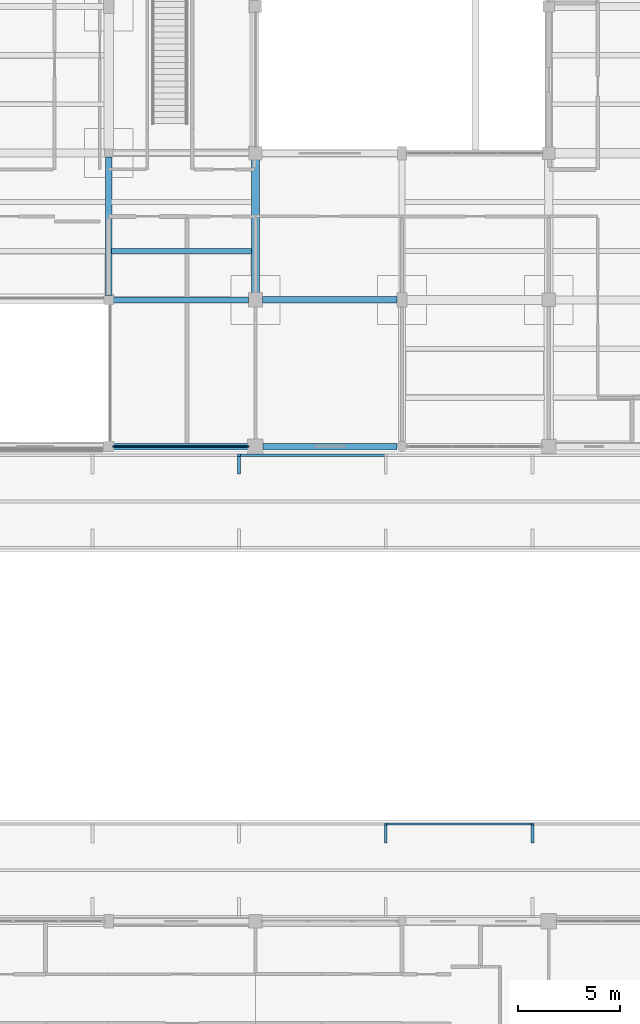
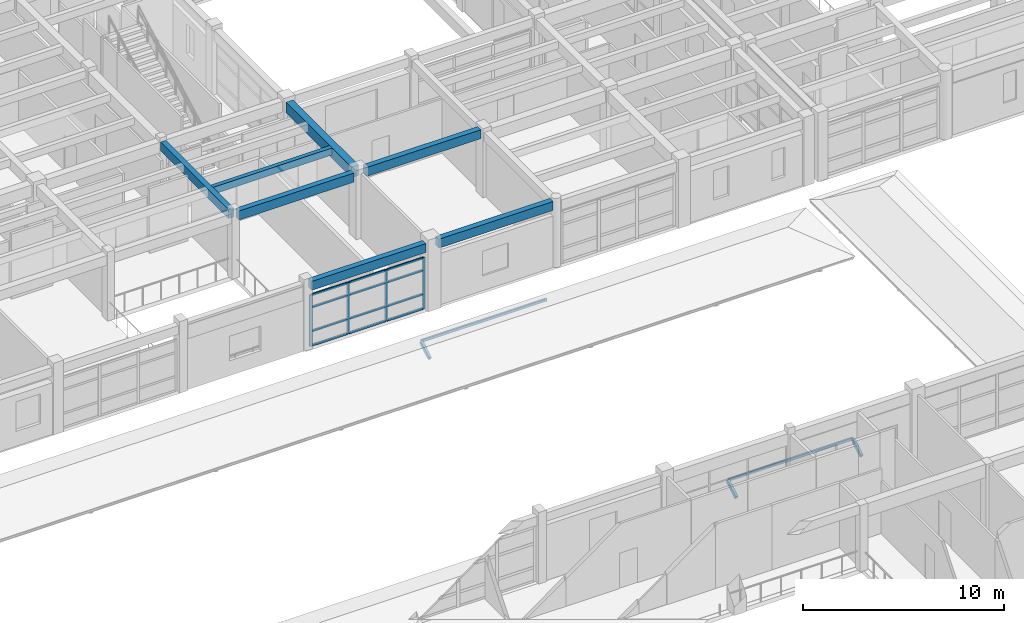
# One storey, part 25 of 110: 21 members, 7 beams, 1 element without a shape of its own.
"""IFC4 building model written with IfcOpenShell, lengths in metres."""

from ifc_helpers import new_model, si_unit, direction, frame, origin, origin_2d, place, context, subcontext, project, spatial, rectangle, hollow_rectangle, extrude, material, material_profile, profile_set, type_object, element, aggregate, save


model = new_model("IFC4")

# Units and contexts
model_context = context("Model", 3, precision=1e-05, world=origin(), true_north=direction((0.0, 1.0)))
body_context = subcontext(model_context, "Body", "Model", "MODEL_VIEW")
ifc_project = project(units=[si_unit("LENGTHUNIT", "METRE"), si_unit("AREAUNIT", "SQUARE_METRE"), si_unit("VOLUMEUNIT", "CUBIC_METRE"), si_unit("PLANEANGLEUNIT", "RADIAN"), si_unit("MASSUNIT", "GRAM", prefix="KILO")], contexts=[model_context])

# Site, building, storey
site_placement = place(None, origin())
site = spatial("IfcSite", under=ifc_project, at=site_placement, CompositionType="ELEMENT")
building_placement = place(site_placement, origin())
building = spatial("IfcBuilding", under=site, at=building_placement, Name="Steenspoor Specialist Clinic", CompositionType="ELEMENT")
storey_placement = place(building_placement, frame((0.0, 0.0, 4.800048828125)))
storey = spatial("IfcBuildingStorey", under=building, at=storey_placement, Name="L01", CompositionType="ELEMENT", Elevation=4.800048828125)

# Beams
ifc_material_1 = material(Name="Concrete C35/45", Category="concrete")
ifc_material_profile_1 = material_profile(ifc_material_1, rectangle(XDim=0.300048828125, YDim=0.550048828125, at=origin_2d()), Name="RC-BM-300X550")
ifc_profile_set_1 = profile_set([ifc_material_profile_1], Name="Concrete C35/45")
beam_type_1 = type_object("IfcBeamType", Name="BM-RC-300X550", PredefinedType="BEAM", material=ifc_profile_set_1)
beam_1_placement = place(storey_placement, frame((88.6201171875, 72.35009765625, 3.675048828125), z_axis=(1.0, 0.0, 0.0), x_axis=(0.0, 1.0, 0.0)))
element("IfcBeam", 1, at=beam_1_placement, inside=storey, type_object=beam_type_1, Name="BM-V4-L01-X0483", PredefinedType="BEAM", context=body_context, shape_type="SweptSolid", body=[
    extrude(rectangle(XDim=0.300048828125, YDim=0.550048828125, at=origin_2d()), origin(), (0.0, 0.0, 1.0), 6.634765625),
])
beam_2_placement = place(storey_placement, frame((88.39990234375, 72.570068359375, 3.675048828125), z_axis=(0.0, 1.0, 0.0), x_axis=(-1.0, 0.0, 0.0)))
element("IfcBeam", 2, at=beam_2_placement, inside=storey, type_object=beam_type_1, Name="BM-V4-L01-Y0547", PredefinedType="BEAM", context=body_context, shape_type="SweptSolid", body=[
    extrude(rectangle(XDim=0.300048828125, YDim=0.550048828125, at=origin_2d()), origin(), (0.0, 0.0, 1.0), 6.784912109375),
])
ifc_material_profile_2 = material_profile(ifc_material_1, rectangle(XDim=0.39990234375, YDim=0.64990234375, at=origin_2d()), Name="RC-BM-400X650")
ifc_profile_set_2 = profile_set([ifc_material_profile_2], Name="Concrete C35/45")
beam_type_2 = type_object("IfcBeamType", Name="BM-RC-400X650", PredefinedType="BEAM", material=ifc_profile_set_2)
beam_3_placement = place(storey_placement, frame((95.60009765625, 72.695068359375, 3.625), z_axis=(0.0, 1.0, 0.0), x_axis=(-1.0, 0.0, 0.0)))
element("IfcBeam", 3, at=beam_3_placement, inside=storey, type_object=beam_type_2, Name="BM-V4-L01-Y0552", PredefinedType="BEAM", context=body_context, shape_type="SweptSolid", body=[
    extrude(rectangle(XDim=0.39990234375, YDim=0.64990234375, at=origin_2d()), origin(), (0.0, 0.0, 1.0), 6.534912109375),
])

# Curtain wall, members
ifc_material_2 = material(Name="Thermally broken aluminium and low-emissivity glass", Category="aluminium")
curtain_wall_type = type_object("IfcCurtainWallType", Name="CW-TYP-360X355", PredefinedType="USERDEFINED", material=ifc_material_2)
curtain_wall_placement = place(storey_placement, origin())
curtain_wall = element("IfcCurtainWall", 4, at=curtain_wall_placement, inside=storey, type_object=curtain_wall_type, Name="Unitised Curtain Wall CW-V4-L01-062", ObjectType="UNITISED GLAZING", PredefinedType="USERDEFINED")
ifc_material_3 = material(Name="Thermally broken aluminium 6063-T6", Category="aluminium")
ifc_material_profile_3 = material_profile(ifc_material_3, rectangle(XDim=0.070068359375, YDim=0.1650390625, at=origin_2d()), Name="CWM-70X165")
ifc_profile_set_3 = profile_set([ifc_material_profile_3], Name="Thermally broken aluminium 6063-T6")
member_type_1 = type_object("IfcMemberType", Name="CW-MULL-70X165", PredefinedType="MULLION", material=ifc_profile_set_3)
member_1_placement = place(storey_placement, frame((95.18994140625, 65.14990234375, 0.0), z_axis=(0.0, 0.0, 1.0), x_axis=(0.0, -1.0, 0.0)))
member_1 = element("IfcMember", 5, at=member_1_placement, type_object=member_type_1, Name="CW-14 mullion 1", PredefinedType="MULLION", context=body_context, shape_type="SweptSolid", body=[
    extrude(rectangle(XDim=0.070068359375, YDim=0.1650390625, at=origin_2d()), origin(), (0.0, 0.0, 1.0), 3.1298828125),
])
member_2_placement = place(storey_placement, frame((93.033447265625, 65.14990234375, 0.0), z_axis=(0.0, 0.0, 1.0), x_axis=(0.0, -1.0, 0.0)))
member_2 = element("IfcMember", 6, at=member_2_placement, type_object=member_type_1, Name="CW-14 mullion 2", PredefinedType="MULLION", context=body_context, shape_type="SweptSolid", body=[
    extrude(rectangle(XDim=0.070068359375, YDim=0.1650390625, at=origin_2d()), origin(), (0.0, 0.0, 1.0), 3.1298828125),
])
member_3_placement = place(storey_placement, frame((90.841552734375, 65.14990234375, 0.0), z_axis=(0.0, 0.0, 1.0), x_axis=(0.0, -1.0, 0.0)))
member_3 = element("IfcMember", 7, at=member_3_placement, type_object=member_type_1, Name="CW-14 mullion 3", PredefinedType="MULLION", context=body_context, shape_type="SweptSolid", body=[
    extrude(rectangle(XDim=0.070068359375, YDim=0.1650390625, at=origin_2d()), origin(), (0.0, 0.0, 1.0), 3.1298828125),
])
member_4_placement = place(storey_placement, frame((88.68505859375, 65.14990234375, 0.0), z_axis=(0.0, 0.0, 1.0), x_axis=(0.0, -1.0, 0.0)))
member_4 = element("IfcMember", 8, at=member_4_placement, type_object=member_type_1, Name="CW-14 mullion 4", PredefinedType="MULLION", context=body_context, shape_type="SweptSolid", body=[
    extrude(rectangle(XDim=0.070068359375, YDim=0.1650390625, at=origin_2d()), origin(), (0.0, 0.0, 1.0), 3.1298828125),
])
ifc_material_profile_4 = material_profile(ifc_material_3, rectangle(XDim=0.06494140625, YDim=0.1298828125, at=origin_2d()), Name="CWT-65X130")
ifc_profile_set_4 = profile_set([ifc_material_profile_4], Name="Thermally broken aluminium 6063-T6")
member_type_2 = type_object("IfcMemberType", Name="CW-TRAN-65X130", PredefinedType="USERDEFINED", material=ifc_profile_set_4)
member_5_placement = place(storey_placement, frame((95.155029296875, 65.14990234375, 0.032470703125), z_axis=(-1.0, 0.0, 0.0), x_axis=(0.0, -1.0, 0.0)))
member_5 = element("IfcMember", 9, at=member_5_placement, type_object=member_type_2, Name="CW-14 transom 1.1", ObjectType="TRANSOM", PredefinedType="USERDEFINED", context=body_context, shape_type="SweptSolid", body=[
    extrude(rectangle(XDim=0.06494140625, YDim=0.1298828125, at=origin_2d()), origin(), (0.0, 0.0, 1.0), 2.086669921875),
])
member_6_placement = place(storey_placement, frame((95.155029296875, 65.14990234375, 0.89990234375), z_axis=(-1.0, 0.0, 0.0), x_axis=(0.0, -1.0, 0.0)))
member_6 = element("IfcMember", 10, at=member_6_placement, type_object=member_type_2, Name="CW-14 transom 1.2", ObjectType="TRANSOM", PredefinedType="USERDEFINED", context=body_context, shape_type="SweptSolid", body=[
    extrude(rectangle(XDim=0.06494140625, YDim=0.1298828125, at=origin_2d()), origin(), (0.0, 0.0, 1.0), 2.086669921875),
])
member_7_placement = place(storey_placement, frame((95.155029296875, 65.14990234375, 2.349853515625), z_axis=(-1.0, 0.0, 0.0), x_axis=(0.0, -1.0, 0.0)))
member_7 = element("IfcMember", 11, at=member_7_placement, type_object=member_type_2, Name="CW-14 transom 1.3", ObjectType="TRANSOM", PredefinedType="USERDEFINED", context=body_context, shape_type="SweptSolid", body=[
    extrude(rectangle(XDim=0.06494140625, YDim=0.1298828125, at=origin_2d()), origin(), (0.0, 0.0, 1.0), 2.086669921875),
])
member_8_placement = place(storey_placement, frame((95.155029296875, 65.14990234375, 3.097412109375), z_axis=(-1.0, 0.0, 0.0), x_axis=(0.0, -1.0, 0.0)))
member_8 = element("IfcMember", 12, at=member_8_placement, type_object=member_type_2, Name="CW-14 transom 1.4", ObjectType="TRANSOM", PredefinedType="USERDEFINED", context=body_context, shape_type="SweptSolid", body=[
    extrude(rectangle(XDim=0.06494140625, YDim=0.1298828125, at=origin_2d()), origin(), (0.0, 0.0, 1.0), 2.086669921875),
])
member_9_placement = place(storey_placement, frame((92.998291015625, 65.14990234375, 0.032470703125), z_axis=(-1.0, 0.0, 0.0), x_axis=(0.0, -1.0, 0.0)))
member_9 = element("IfcMember", 13, at=member_9_placement, type_object=member_type_2, Name="CW-14 transom 2.1", ObjectType="TRANSOM", PredefinedType="USERDEFINED", context=body_context, shape_type="SweptSolid", body=[
    extrude(rectangle(XDim=0.06494140625, YDim=0.1298828125, at=origin_2d()), origin(), (0.0, 0.0, 1.0), 2.12158203125),
])
member_10_placement = place(storey_placement, frame((92.998291015625, 65.14990234375, 0.89990234375), z_axis=(-1.0, 0.0, 0.0), x_axis=(0.0, -1.0, 0.0)))
member_10 = element("IfcMember", 14, at=member_10_placement, type_object=member_type_2, Name="CW-14 transom 2.2", ObjectType="TRANSOM", PredefinedType="USERDEFINED", context=body_context, shape_type="SweptSolid", body=[
    extrude(rectangle(XDim=0.06494140625, YDim=0.1298828125, at=origin_2d()), origin(), (0.0, 0.0, 1.0), 2.12158203125),
])
member_11_placement = place(storey_placement, frame((92.998291015625, 65.14990234375, 2.349853515625), z_axis=(-1.0, 0.0, 0.0), x_axis=(0.0, -1.0, 0.0)))
member_11 = element("IfcMember", 15, at=member_11_placement, type_object=member_type_2, Name="CW-14 transom 2.3", ObjectType="TRANSOM", PredefinedType="USERDEFINED", context=body_context, shape_type="SweptSolid", body=[
    extrude(rectangle(XDim=0.06494140625, YDim=0.1298828125, at=origin_2d()), origin(), (0.0, 0.0, 1.0), 2.12158203125),
])
member_12_placement = place(storey_placement, frame((92.998291015625, 65.14990234375, 3.097412109375), z_axis=(-1.0, 0.0, 0.0), x_axis=(0.0, -1.0, 0.0)))
member_12 = element("IfcMember", 16, at=member_12_placement, type_object=member_type_2, Name="CW-14 transom 2.4", ObjectType="TRANSOM", PredefinedType="USERDEFINED", context=body_context, shape_type="SweptSolid", body=[
    extrude(rectangle(XDim=0.06494140625, YDim=0.1298828125, at=origin_2d()), origin(), (0.0, 0.0, 1.0), 2.12158203125),
])
member_13_placement = place(storey_placement, frame((90.806640625, 65.14990234375, 0.032470703125), z_axis=(-1.0, 0.0, 0.0), x_axis=(0.0, -1.0, 0.0)))
member_13 = element("IfcMember", 17, at=member_13_placement, type_object=member_type_2, Name="CW-14 transom 3.1", ObjectType="TRANSOM", PredefinedType="USERDEFINED", context=body_context, shape_type="SweptSolid", body=[
    extrude(rectangle(XDim=0.06494140625, YDim=0.1298828125, at=origin_2d()), origin(), (0.0, 0.0, 1.0), 2.086669921875),
])
member_14_placement = place(storey_placement, frame((90.806640625, 65.14990234375, 0.89990234375), z_axis=(-1.0, 0.0, 0.0), x_axis=(0.0, -1.0, 0.0)))
member_14 = element("IfcMember", 18, at=member_14_placement, type_object=member_type_2, Name="CW-14 transom 3.2", ObjectType="TRANSOM", PredefinedType="USERDEFINED", context=body_context, shape_type="SweptSolid", body=[
    extrude(rectangle(XDim=0.06494140625, YDim=0.1298828125, at=origin_2d()), origin(), (0.0, 0.0, 1.0), 2.086669921875),
])
member_15_placement = place(storey_placement, frame((90.806640625, 65.14990234375, 2.349853515625), z_axis=(-1.0, 0.0, 0.0), x_axis=(0.0, -1.0, 0.0)))
member_15 = element("IfcMember", 19, at=member_15_placement, type_object=member_type_2, Name="CW-14 transom 3.3", ObjectType="TRANSOM", PredefinedType="USERDEFINED", context=body_context, shape_type="SweptSolid", body=[
    extrude(rectangle(XDim=0.06494140625, YDim=0.1298828125, at=origin_2d()), origin(), (0.0, 0.0, 1.0), 2.086669921875),
])
member_16_placement = place(storey_placement, frame((90.806640625, 65.14990234375, 3.097412109375), z_axis=(-1.0, 0.0, 0.0), x_axis=(0.0, -1.0, 0.0)))
member_16 = element("IfcMember", 20, at=member_16_placement, type_object=member_type_2, Name="CW-14 transom 3.4", ObjectType="TRANSOM", PredefinedType="USERDEFINED", context=body_context, shape_type="SweptSolid", body=[
    extrude(rectangle(XDim=0.06494140625, YDim=0.1298828125, at=origin_2d()), origin(), (0.0, 0.0, 1.0), 2.086669921875),
])
aggregate(curtain_wall, [member_1, member_2, member_3, member_4, member_5, member_6, member_7, member_8, member_9, member_10, member_11, member_12, member_13, member_14, member_15, member_16])

# Beam
ifc_material_profile_5 = material_profile(ifc_material_1, rectangle(XDim=0.239990234375, YDim=0.419921875, at=origin_2d()), Name="RC-JT-240X420")
ifc_profile_set_5 = profile_set([ifc_material_profile_5], Name="Concrete C35/45")
beam_type_3 = type_object("IfcBeamType", Name="JT-RC-240X420", PredefinedType="JOIST", material=ifc_profile_set_5)
beam_4_placement = place(storey_placement, frame((88.544921875, 74.75, 3.739990234375), z_axis=(1.0, 0.0, 0.0), x_axis=(0.0, 1.0, 0.0)))
element("IfcBeam", 21, at=beam_4_placement, inside=storey, type_object=beam_type_3, Name="JT-V4-L01-0612", PredefinedType="JOIST", context=body_context, shape_type="SweptSolid", body=[
    extrude(rectangle(XDim=0.239990234375, YDim=0.419921875, at=origin_2d()), origin(), (0.0, 0.0, 1.0), 6.860107421875),
])

# Members
ifc_material_4 = material(Name="Steel A500 Grade C", Category="steel")
ifc_material_profile_6 = material_profile(ifc_material_4, hollow_rectangle(XDim=0.1015625, YDim=0.15234375, WallThickness=0.005859375, at=origin_2d()), Name="HSS152X102X6.4")
ifc_profile_set_6 = profile_set([ifc_material_profile_6], Name="Steel A500 Grade C")
member_type_3 = type_object("IfcMemberType", Name="MEM-PURLIN-H152", PredefinedType="PURLIN", material=ifc_profile_set_6)
for number, where, z_axis, x_axis, name in (
    (22, (94.800048828125, 64.719970703125, -1.571533203125), (1.0, 0.0, 0.0), (0.0, 1.0, 0.0), "Walkway Fascia WK4 596"),
    (23, (102.0, 46.6201171875, -1.571533203125), (1.0, 0.0, 0.0), (0.0, 1.0, 0.0), "Walkway Fascia WK5 614"),
):
    element("IfcMember", number, at=place(storey_placement, frame(where, z_axis=z_axis, x_axis=x_axis)), inside=storey, type_object=member_type_3, Name=name, PredefinedType="PURLIN", context=body_context, shape_type="SweptSolid", body=[
        extrude(hollow_rectangle(XDim=0.1015625, YDim=0.15234375, WallThickness=0.005859375, at=origin_2d()), origin(), (0.0, 0.0, 1.0), 7.199951171875),
    ])
ifc_material_5 = material(Name="Glulam GL28h", Category="wood")
ifc_material_profile_7 = material_profile(ifc_material_5, rectangle(XDim=0.139892578125, YDim=0.219970703125, at=origin_2d()), Name="GL28H-140X220")
ifc_profile_set_7 = profile_set([ifc_material_profile_7], Name="Glulam GL28h")
member_type_4 = type_object("IfcMemberType", Name="MEM-RAFTER-GL220", PredefinedType="RAFTER", material=ifc_profile_set_7)
member_17_placement = place(storey_placement, frame((94.800048828125, 63.85009765625, -2.114990234375), z_axis=(0.0, 0.865930570761, 0.500164219654), x_axis=(-1.0, 0.0, 0.0)))
element("IfcMember", 24, at=member_17_placement, inside=storey, type_object=member_type_4, Name="Walkway Eave Outrigger WK4 420", PredefinedType="RAFTER", context=body_context, shape_type="SweptSolid", body=[
    extrude(rectangle(XDim=0.139892578125, YDim=0.219970703125, at=origin_2d()), origin(), (0.0, 0.0, 1.0), 1.004638671875),
])
for number, where, z_axis, x_axis, name in (
    (25, (102.0, 45.75, -2.114990234375), (0.0, 0.865991350021, 0.500058978211), (-1.0, 0.0, 0.0), "Walkway Eave Outrigger WK5 440"),
    (26, (109.199951171875, 45.75, -2.114990234375), (0.0, 0.865991350021, 0.500058978211), (-1.0, 0.0, 0.0), "Walkway Eave Outrigger WK5 442"),
):
    element("IfcMember", number, at=place(storey_placement, frame(where, z_axis=z_axis, x_axis=x_axis)), inside=storey, type_object=member_type_4, Name=name, PredefinedType="RAFTER", context=body_context, shape_type="SweptSolid", body=[
        extrude(rectangle(XDim=0.139892578125, YDim=0.219970703125, at=origin_2d()), origin(), (0.0, 0.0, 1.0), 1.0048828125),
    ])

# Beams
ifc_material_profile_8 = material_profile(ifc_material_1, rectangle(XDim=0.320068359375, YDim=0.5400390625, at=origin_2d()), Name="RC-SP-320X540")
ifc_profile_set_8 = profile_set([ifc_material_profile_8], Name="Concrete C35/45")
beam_type_4 = type_object("IfcBeamType", Name="SP-RC-320X540", PredefinedType="SPANDREL", material=ifc_profile_set_8)
for number, where, z_axis, x_axis, name in (
    (27, (88.64501953125, 65.14990234375, 3.764892578125), (1.0, 0.0, 0.0), (0.0, 1.0, 0.0), "BMTIER-V4-L01-X05-00"),
    (28, (95.969970703125, 65.14990234375, 3.764892578125), (1.0, 0.0, 0.0), (0.0, 1.0, 0.0), "BMTIER-V4-L01-X06-00"),
):
    element("IfcBeam", number, at=place(storey_placement, frame(where, z_axis=z_axis, x_axis=x_axis)), inside=storey, type_object=beam_type_4, Name=name, PredefinedType="SPANDREL", context=body_context, shape_type="SweptSolid", body=[
        extrude(rectangle(XDim=0.320068359375, YDim=0.5400390625, at=origin_2d()), origin(), (0.0, 0.0, 1.0), 6.5849609375),
    ])
beam_5_placement = place(storey_placement, frame((95.945068359375, 72.35009765625, 3.764892578125), z_axis=(1.0, 0.0, 0.0), x_axis=(0.0, 1.0, 0.0)))
element("IfcBeam", 29, at=beam_5_placement, inside=storey, type_object=beam_type_4, Name="BMTIER-V4-L01-X06-01", PredefinedType="SPANDREL", context=body_context, shape_type="SweptSolid", body=[
    extrude(rectangle(XDim=0.320068359375, YDim=0.5400390625, at=origin_2d()), origin(), (0.0, 0.0, 1.0), 6.60986328125),
])

save(model, "model.ifc")
